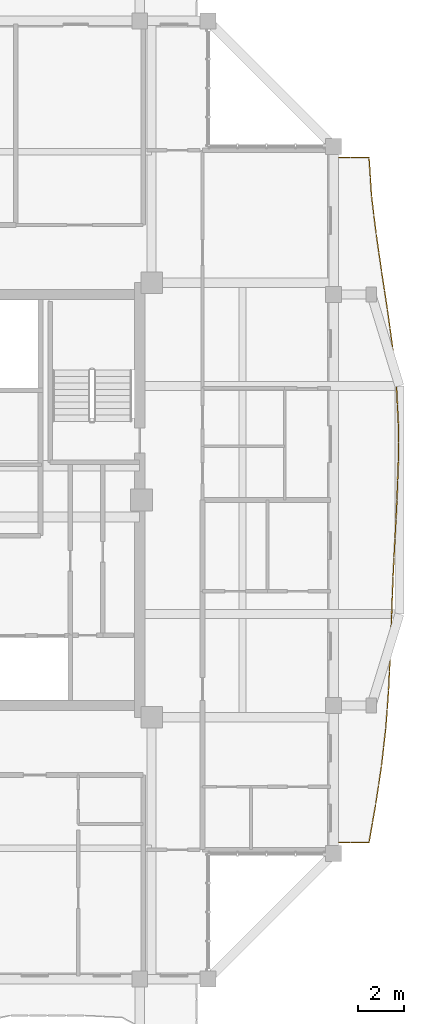
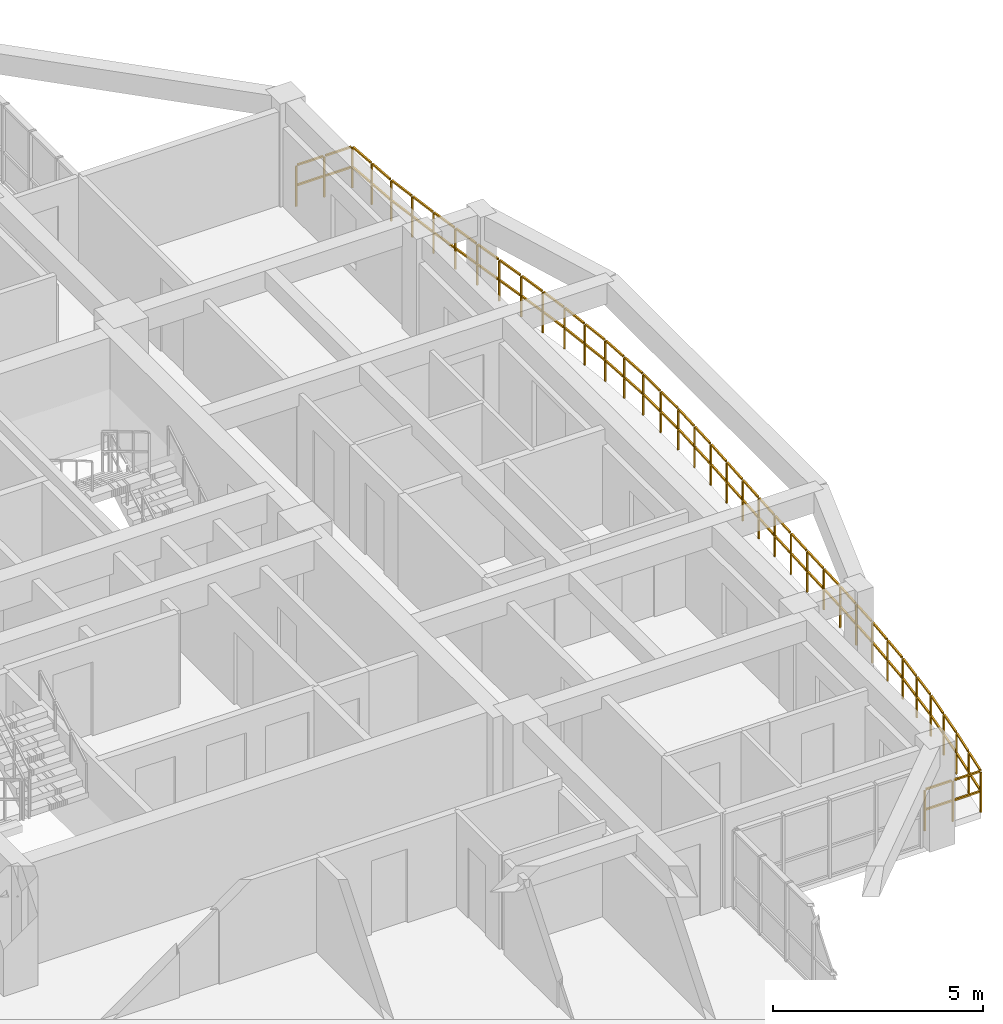
# One storey, part 23 of 24: 1 railing.
"""IFC4 building model written with IfcOpenShell, lengths in metres."""

from ifc_helpers import new_model, si_unit, direction, frame, origin, origin_2d, place, context, subcontext, project, spatial, rectangle, extrude, material, type_object, element, save


model = new_model("IFC4")

# Units and contexts
model_context = context("Model", 3, precision=1e-05, world=origin(), true_north=direction((0.0, 1.0)))
body_context = subcontext(model_context, "Body", "Model", "MODEL_VIEW")
ifc_project = project(units=[si_unit("LENGTHUNIT", "METRE"), si_unit("AREAUNIT", "SQUARE_METRE"), si_unit("VOLUMEUNIT", "CUBIC_METRE"), si_unit("PLANEANGLEUNIT", "RADIAN"), si_unit("MASSUNIT", "GRAM", prefix="KILO")], contexts=[model_context])

# Site, building, storey
site_placement = place(None, origin())
site = spatial("IfcSite", under=ifc_project, at=site_placement, CompositionType="ELEMENT")
building_placement = place(site_placement, origin())
building = spatial("IfcBuilding", under=site, at=building_placement, Name="Saelheon Loggia Tower", CompositionType="ELEMENT")
storey_placement = place(building_placement, frame((0.0, 0.0, 246.0)))
storey = spatial("IfcBuildingStorey", under=building, at=storey_placement, Name="L76", CompositionType="ELEMENT", Elevation=246.0)

# Railing
ifc_material = material(Name="Architectural Precast Concrete and Laminated Glass Guard", Category="concrete")
railing_type = type_object("IfcRailingType", Name="Guard_Loggia_RL_LOG", PredefinedType="BALUSTRADE", material=ifc_material)
railing_placement = place(storey_placement, frame((53.0, 12.0, 0.0)))
element("IfcRailing", 1, at=railing_placement, inside=storey, type_object=railing_type, Name="L76 East Loggia Balustrade", PredefinedType="BALUSTRADE", context=body_context, shape_type="SweptSolid", body=[
    extrude(rectangle(XDim=0.048095703125, YDim=0.048095703125, at=origin_2d()), frame((0.033203125, 0.0, 1.19580078125), z_axis=(1.0, 0.0, 0.0), x_axis=(0.0, 1.0, 0.0)), (0.0, 0.0, 1.0), 0.70849609375),
    extrude(rectangle(XDim=0.048095703125, YDim=0.048095703125, at=origin_2d()), frame((0.033203125, 0.0, 0.60986328125), z_axis=(1.0, 0.0, 0.0), x_axis=(0.0, 1.0, 0.0)), (0.0, 0.0, 1.0), 0.70849609375),
    extrude(rectangle(XDim=0.048095703125, YDim=0.048095703125, at=origin_2d()), frame((0.808349609375, 0.0, 1.19580078125), z_axis=(1.0, 0.0, 0.0), x_axis=(0.0, 1.0, 0.0)), (0.0, 0.0, 1.0), 0.70849609375),
    extrude(rectangle(XDim=0.048095703125, YDim=0.048095703125, at=origin_2d()), frame((0.808349609375, 0.0, 0.60986328125), z_axis=(1.0, 0.0, 0.0), x_axis=(0.0, 1.0, 0.0)), (0.0, 0.0, 1.0), 0.70849609375),
    extrude(rectangle(XDim=0.048095703125, YDim=0.048095703125, at=origin_2d()), frame((1.5556640625, 0.03271484375, 1.19580078125), z_axis=(0.172418830564, 0.985023729088, 0.0), x_axis=(-0.985023729088, 0.172418830564, 0.0)), (0.0, 0.0, 1.0), 0.779541015625),
    extrude(rectangle(XDim=0.048095703125, YDim=0.048095703125, at=origin_2d()), frame((1.5556640625, 0.03271484375, 0.60986328125), z_axis=(0.172418830564, 0.985023729088, 0.0), x_axis=(-0.985023729088, 0.172418830564, 0.0)), (0.0, 0.0, 1.0), 0.779541015625),
    extrude(rectangle(XDim=0.048095703125, YDim=0.048095703125, at=origin_2d()), frame((1.70166015625, 0.8662109375, 1.19580078125), z_axis=(0.172418830564, 0.985023729088, 0.0), x_axis=(-0.985023729088, 0.172418830564, 0.0)), (0.0, 0.0, 1.0), 0.779541015625),
    extrude(rectangle(XDim=0.048095703125, YDim=0.048095703125, at=origin_2d()), frame((1.70166015625, 0.8662109375, 0.60986328125), z_axis=(0.172418830564, 0.985023729088, 0.0), x_axis=(-0.985023729088, 0.172418830564, 0.0)), (0.0, 0.0, 1.0), 0.779541015625),
    extrude(rectangle(XDim=0.048095703125, YDim=0.048095703125, at=origin_2d()), frame((1.8466796875, 1.69970703125, 1.19580078125), z_axis=(0.14991264568, 0.98869924581, 0.0), x_axis=(-0.98869924581, 0.14991264568, 0.0)), (0.0, 0.0, 1.0), 0.7763671875),
    extrude(rectangle(XDim=0.048095703125, YDim=0.048095703125, at=origin_2d()), frame((1.8466796875, 1.69970703125, 0.60986328125), z_axis=(0.14991264568, 0.98869924581, 0.0), x_axis=(-0.98869924581, 0.14991264568, 0.0)), (0.0, 0.0, 1.0), 0.7763671875),
    extrude(rectangle(XDim=0.048095703125, YDim=0.048095703125, at=origin_2d()), frame((1.97314453125, 2.532958984375, 1.19580078125), z_axis=(0.14991264568, 0.98869924581, 0.0), x_axis=(-0.98869924581, 0.14991264568, 0.0)), (0.0, 0.0, 1.0), 0.7763671875),
    extrude(rectangle(XDim=0.048095703125, YDim=0.048095703125, at=origin_2d()), frame((1.97314453125, 2.532958984375, 0.60986328125), z_axis=(0.14991264568, 0.98869924581, 0.0), x_axis=(-0.98869924581, 0.14991264568, 0.0)), (0.0, 0.0, 1.0), 0.7763671875),
    extrude(rectangle(XDim=0.048095703125, YDim=0.048095703125, at=origin_2d()), frame((2.09814453125, 3.3662109375, 1.19580078125), z_axis=(0.112651696568, 0.993634538077, 0.0), x_axis=(-0.993634538077, 0.112651696568, 0.0)), (0.0, 0.0, 1.0), 0.772216796875),
    extrude(rectangle(XDim=0.048095703125, YDim=0.048095703125, at=origin_2d()), frame((2.09814453125, 3.3662109375, 0.60986328125), z_axis=(0.112651696568, 0.993634538077, 0.0), x_axis=(-0.993634538077, 0.112651696568, 0.0)), (0.0, 0.0, 1.0), 0.772216796875),
    extrude(rectangle(XDim=0.048095703125, YDim=0.048095703125, at=origin_2d()), frame((2.192626953125, 4.19970703125, 1.19580078125), z_axis=(0.112651696568, 0.993634538077, 0.0), x_axis=(-0.993634538077, 0.112651696568, 0.0)), (0.0, 0.0, 1.0), 0.772216796875),
    extrude(rectangle(XDim=0.048095703125, YDim=0.048095703125, at=origin_2d()), frame((2.192626953125, 4.19970703125, 0.60986328125), z_axis=(0.112651696568, 0.993634538077, 0.0), x_axis=(-0.993634538077, 0.112651696568, 0.0)), (0.0, 0.0, 1.0), 0.772216796875),
    extrude(rectangle(XDim=0.048095703125, YDim=0.048095703125, at=origin_2d()), frame((2.285888671875, 5.033203125, 1.19580078125), z_axis=(0.073624164853, 0.997286058435, 0.0), x_axis=(-0.997286058435, 0.073624164853, 0.0)), (0.0, 0.0, 1.0), 0.769287109375),
    extrude(rectangle(XDim=0.048095703125, YDim=0.048095703125, at=origin_2d()), frame((2.285888671875, 5.033203125, 0.60986328125), z_axis=(0.073624164853, 0.997286058435, 0.0), x_axis=(-0.997286058435, 0.073624164853, 0.0)), (0.0, 0.0, 1.0), 0.769287109375),
    extrude(rectangle(XDim=0.048095703125, YDim=0.048095703125, at=origin_2d()), frame((2.347412109375, 5.866455078125, 1.19580078125), z_axis=(0.073624164853, 0.997286058435, 0.0), x_axis=(-0.997286058435, 0.073624164853, 0.0)), (0.0, 0.0, 1.0), 0.769287109375),
    extrude(rectangle(XDim=0.048095703125, YDim=0.048095703125, at=origin_2d()), frame((2.347412109375, 5.866455078125, 0.60986328125), z_axis=(0.073624164853, 0.997286058435, 0.0), x_axis=(-0.997286058435, 0.073624164853, 0.0)), (0.0, 0.0, 1.0), 0.769287109375),
    extrude(rectangle(XDim=0.048095703125, YDim=0.048095703125, at=origin_2d()), frame((2.407958984375, 6.699951171875, 1.19580078125), z_axis=(0.045221782057, 0.998976971921, 0.0), x_axis=(-0.998976971921, 0.045221782057, 0.0)), (0.0, 0.0, 1.0), 0.767578125),
    extrude(rectangle(XDim=0.048095703125, YDim=0.048095703125, at=origin_2d()), frame((2.407958984375, 6.699951171875, 0.60986328125), z_axis=(0.045221782057, 0.998976971921, 0.0), x_axis=(-0.998976971921, 0.045221782057, 0.0)), (0.0, 0.0, 1.0), 0.767578125),
    extrude(rectangle(XDim=0.048095703125, YDim=0.048095703125, at=origin_2d()), frame((2.44580078125, 7.533203125, 1.19580078125), z_axis=(0.045221782057, 0.998976971921, 0.0), x_axis=(-0.998976971921, 0.045221782057, 0.0)), (0.0, 0.0, 1.0), 0.767578125),
    extrude(rectangle(XDim=0.048095703125, YDim=0.048095703125, at=origin_2d()), frame((2.44580078125, 7.533203125, 0.60986328125), z_axis=(0.045221782057, 0.998976971921, 0.0), x_axis=(-0.998976971921, 0.045221782057, 0.0)), (0.0, 0.0, 1.0), 0.767578125),
    extrude(rectangle(XDim=0.048095703125, YDim=0.048095703125, at=origin_2d()), frame((2.483154296875, 8.366455078125, 1.19580078125), z_axis=(0.034547988495, 0.999403040065, 0.0), x_axis=(-0.999403040065, 0.034547988495, 0.0)), (0.0, 0.0, 1.0), 0.767333984375),
    extrude(rectangle(XDim=0.048095703125, YDim=0.048095703125, at=origin_2d()), frame((2.483154296875, 8.366455078125, 0.60986328125), z_axis=(0.034547988495, 0.999403040065, 0.0), x_axis=(-0.999403040065, 0.034547988495, 0.0)), (0.0, 0.0, 1.0), 0.767333984375),
    extrude(rectangle(XDim=0.048095703125, YDim=0.048095703125, at=origin_2d()), frame((2.511962890625, 9.199951171875, 1.19580078125), z_axis=(0.034547988495, 0.999403040065, 0.0), x_axis=(-0.999403040065, 0.034547988495, 0.0)), (0.0, 0.0, 1.0), 0.767333984375),
    extrude(rectangle(XDim=0.048095703125, YDim=0.048095703125, at=origin_2d()), frame((2.511962890625, 9.199951171875, 0.60986328125), z_axis=(0.034547988495, 0.999403040065, 0.0), x_axis=(-0.999403040065, 0.034547988495, 0.0)), (0.0, 0.0, 1.0), 0.767333984375),
    extrude(rectangle(XDim=0.048095703125, YDim=0.048095703125, at=origin_2d()), frame((2.540771484375, 10.033203125, 1.19580078125), z_axis=(0.038933399863, 0.99924180776, 0.0), x_axis=(-0.99924180776, 0.038933399863, 0.0)), (0.0, 0.0, 1.0), 0.767578125),
    extrude(rectangle(XDim=0.048095703125, YDim=0.048095703125, at=origin_2d()), frame((2.540771484375, 10.033203125, 0.60986328125), z_axis=(0.038933399863, 0.99924180776, 0.0), x_axis=(-0.99924180776, 0.038933399863, 0.0)), (0.0, 0.0, 1.0), 0.767578125),
    extrude(rectangle(XDim=0.048095703125, YDim=0.048095703125, at=origin_2d()), frame((2.5732421875, 10.86669921875, 1.19580078125), z_axis=(0.038933399863, 0.99924180776, 0.0), x_axis=(-0.99924180776, 0.038933399863, 0.0)), (0.0, 0.0, 1.0), 0.767578125),
    extrude(rectangle(XDim=0.048095703125, YDim=0.048095703125, at=origin_2d()), frame((2.5732421875, 10.86669921875, 0.60986328125), z_axis=(0.038933399863, 0.99924180776, 0.0), x_axis=(-0.99924180776, 0.038933399863, 0.0)), (0.0, 0.0, 1.0), 0.767578125),
    extrude(rectangle(XDim=0.048095703125, YDim=0.048095703125, at=origin_2d()), frame((2.606201171875, 11.699951171875, 1.19580078125), z_axis=(0.048872089831, 0.99880504546, 0.0), x_axis=(-0.99880504546, 0.048872089831, 0.0)), (0.0, 0.0, 1.0), 0.767822265625),
    extrude(rectangle(XDim=0.048095703125, YDim=0.048095703125, at=origin_2d()), frame((2.606201171875, 11.699951171875, 0.60986328125), z_axis=(0.048872089831, 0.99880504546, 0.0), x_axis=(-0.99880504546, 0.048872089831, 0.0)), (0.0, 0.0, 1.0), 0.767822265625),
    extrude(rectangle(XDim=0.048095703125, YDim=0.048095703125, at=origin_2d()), frame((2.64697265625, 12.533203125, 1.19580078125), z_axis=(0.048872089831, 0.99880504546, 0.0), x_axis=(-0.99880504546, 0.048872089831, 0.0)), (0.0, 0.0, 1.0), 0.767822265625),
    extrude(rectangle(XDim=0.048095703125, YDim=0.048095703125, at=origin_2d()), frame((2.64697265625, 12.533203125, 0.60986328125), z_axis=(0.048872089831, 0.99880504546, 0.0), x_axis=(-0.99880504546, 0.048872089831, 0.0)), (0.0, 0.0, 1.0), 0.767822265625),
    extrude(rectangle(XDim=0.048095703125, YDim=0.048095703125, at=origin_2d()), frame((2.687744140625, 13.366455078125, 1.19580078125), z_axis=(0.051053884449, 0.998695900103, 0.0), x_axis=(-0.998695900103, 0.051053884449, 0.0)), (0.0, 0.0, 1.0), 0.76806640625),
    extrude(rectangle(XDim=0.048095703125, YDim=0.048095703125, at=origin_2d()), frame((2.687744140625, 13.366455078125, 0.60986328125), z_axis=(0.051053884449, 0.998695900103, 0.0), x_axis=(-0.998695900103, 0.051053884449, 0.0)), (0.0, 0.0, 1.0), 0.76806640625),
    extrude(rectangle(XDim=0.048095703125, YDim=0.048095703125, at=origin_2d()), frame((2.730224609375, 14.19970703125, 1.19580078125), z_axis=(0.051053884449, 0.998695900103, 0.0), x_axis=(-0.998695900103, 0.051053884449, 0.0)), (0.0, 0.0, 1.0), 0.76806640625),
    extrude(rectangle(XDim=0.048095703125, YDim=0.048095703125, at=origin_2d()), frame((2.730224609375, 14.19970703125, 0.60986328125), z_axis=(0.051053884449, 0.998695900103, 0.0), x_axis=(-0.998695900103, 0.051053884449, 0.0)), (0.0, 0.0, 1.0), 0.76806640625),
    extrude(rectangle(XDim=0.048095703125, YDim=0.048095703125, at=origin_2d()), frame((2.7724609375, 15.033203125, 1.19580078125), z_axis=(0.03586383302, 0.999356685814, 0.0), x_axis=(-0.999356685814, 0.03586383302, 0.0)), (0.0, 0.0, 1.0), 0.767333984375),
    extrude(rectangle(XDim=0.048095703125, YDim=0.048095703125, at=origin_2d()), frame((2.7724609375, 15.033203125, 0.60986328125), z_axis=(0.03586383302, 0.999356685814, 0.0), x_axis=(-0.999356685814, 0.03586383302, 0.0)), (0.0, 0.0, 1.0), 0.767333984375),
    extrude(rectangle(XDim=0.048095703125, YDim=0.048095703125, at=origin_2d()), frame((2.80224609375, 15.86669921875, 1.19580078125), z_axis=(0.03586383302, 0.999356685814, 0.0), x_axis=(-0.999356685814, 0.03586383302, 0.0)), (0.0, 0.0, 1.0), 0.767333984375),
    extrude(rectangle(XDim=0.048095703125, YDim=0.048095703125, at=origin_2d()), frame((2.80224609375, 15.86669921875, 0.60986328125), z_axis=(0.03586383302, 0.999356685814, 0.0), x_axis=(-0.999356685814, 0.03586383302, 0.0)), (0.0, 0.0, 1.0), 0.767333984375),
    extrude(rectangle(XDim=0.048095703125, YDim=0.048095703125, at=origin_2d()), frame((2.8310546875, 16.699951171875, 1.19580078125), z_axis=(0.00029299735, 0.999999957076, 0.0), x_axis=(-0.999999957076, 0.00029299735, 0.0)), (0.0, 0.0, 1.0), 0.766845703125),
    extrude(rectangle(XDim=0.048095703125, YDim=0.048095703125, at=origin_2d()), frame((2.8310546875, 16.699951171875, 0.60986328125), z_axis=(0.00029299735, 0.999999957076, 0.0), x_axis=(-0.999999957076, 0.00029299735, 0.0)), (0.0, 0.0, 1.0), 0.766845703125),
    extrude(rectangle(XDim=0.048095703125, YDim=0.048095703125, at=origin_2d()), frame((2.831298828125, 17.533203125, 1.19580078125), z_axis=(0.00029299735, 0.999999957076, 0.0), x_axis=(-0.999999957076, 0.00029299735, 0.0)), (0.0, 0.0, 1.0), 0.766845703125),
    extrude(rectangle(XDim=0.048095703125, YDim=0.048095703125, at=origin_2d()), frame((2.831298828125, 17.533203125, 0.60986328125), z_axis=(0.00029299735, 0.999999957076, 0.0), x_axis=(-0.999999957076, 0.00029299735, 0.0)), (0.0, 0.0, 1.0), 0.766845703125),
    extrude(rectangle(XDim=0.048095703125, YDim=0.048095703125, at=origin_2d()), frame((2.829833984375, 18.366455078125, 1.19580078125), z_axis=(-0.048864948277, 0.998805394874, 0.0), x_axis=(-0.998805394874, -0.048864948277, 0.0)), (0.0, 0.0, 1.0), 0.767822265625),
    extrude(rectangle(XDim=0.048095703125, YDim=0.048095703125, at=origin_2d()), frame((2.829833984375, 18.366455078125, 0.60986328125), z_axis=(-0.048864948277, 0.998805394874, 0.0), x_axis=(-0.998805394874, -0.048864948277, 0.0)), (0.0, 0.0, 1.0), 0.767822265625),
    extrude(rectangle(XDim=0.048095703125, YDim=0.048095703125, at=origin_2d()), frame((2.7890625, 19.19970703125, 1.19580078125), z_axis=(-0.048864948277, 0.998805394874, 0.0), x_axis=(-0.998805394874, -0.048864948277, 0.0)), (0.0, 0.0, 1.0), 0.767822265625),
    extrude(rectangle(XDim=0.048095703125, YDim=0.048095703125, at=origin_2d()), frame((2.7890625, 19.19970703125, 0.60986328125), z_axis=(-0.048864948277, 0.998805394874, 0.0), x_axis=(-0.998805394874, -0.048864948277, 0.0)), (0.0, 0.0, 1.0), 0.767822265625),
    extrude(rectangle(XDim=0.048095703125, YDim=0.048095703125, at=origin_2d()), frame((2.746826171875, 20.032958984375, 1.19580078125), z_axis=(-0.098681066187, 0.995119112054, 0.0), x_axis=(-0.995119112054, -0.098681066187, 0.0)), (0.0, 0.0, 1.0), 0.77099609375),
    extrude(rectangle(XDim=0.048095703125, YDim=0.048095703125, at=origin_2d()), frame((2.746826171875, 20.032958984375, 0.60986328125), z_axis=(-0.098681066187, 0.995119112054, 0.0), x_axis=(-0.995119112054, -0.098681066187, 0.0)), (0.0, 0.0, 1.0), 0.77099609375),
    extrude(rectangle(XDim=0.048095703125, YDim=0.048095703125, at=origin_2d()), frame((2.6640625, 20.866455078125, 1.19580078125), z_axis=(-0.098681066187, 0.995119112054, 0.0), x_axis=(-0.995119112054, -0.098681066187, 0.0)), (0.0, 0.0, 1.0), 0.77099609375),
    extrude(rectangle(XDim=0.048095703125, YDim=0.048095703125, at=origin_2d()), frame((2.6640625, 20.866455078125, 0.60986328125), z_axis=(-0.098681066187, 0.995119112054, 0.0), x_axis=(-0.995119112054, -0.098681066187, 0.0)), (0.0, 0.0, 1.0), 0.77099609375),
    extrude(rectangle(XDim=0.048095703125, YDim=0.048095703125, at=origin_2d()), frame((2.580322265625, 21.69970703125, 1.19580078125), z_axis=(-0.13556658858, 0.990768237309, 0.0), x_axis=(-0.990768237309, -0.13556658858, 0.0)), (0.0, 0.0, 1.0), 0.774658203125),
    extrude(rectangle(XDim=0.048095703125, YDim=0.048095703125, at=origin_2d()), frame((2.580322265625, 21.69970703125, 0.60986328125), z_axis=(-0.13556658858, 0.990768237309, 0.0), x_axis=(-0.990768237309, -0.13556658858, 0.0)), (0.0, 0.0, 1.0), 0.774658203125),
    extrude(rectangle(XDim=0.048095703125, YDim=0.048095703125, at=origin_2d()), frame((2.46630859375, 22.532958984375, 1.19580078125), z_axis=(-0.13556658858, 0.990768237309, 0.0), x_axis=(-0.990768237309, -0.13556658858, 0.0)), (0.0, 0.0, 1.0), 0.774658203125),
    extrude(rectangle(XDim=0.048095703125, YDim=0.048095703125, at=origin_2d()), frame((2.46630859375, 22.532958984375, 0.60986328125), z_axis=(-0.13556658858, 0.990768237309, 0.0), x_axis=(-0.990768237309, -0.13556658858, 0.0)), (0.0, 0.0, 1.0), 0.774658203125),
    extrude(rectangle(XDim=0.048095703125, YDim=0.048095703125, at=origin_2d()), frame((2.3515625, 23.3662109375, 1.19580078125), z_axis=(-0.15059890797, 0.98859494684, 0.0), x_axis=(-0.98859494684, -0.15059890797, 0.0)), (0.0, 0.0, 1.0), 0.776611328125),
    extrude(rectangle(XDim=0.048095703125, YDim=0.048095703125, at=origin_2d()), frame((2.3515625, 23.3662109375, 0.60986328125), z_axis=(-0.15059890797, 0.98859494684, 0.0), x_axis=(-0.98859494684, -0.15059890797, 0.0)), (0.0, 0.0, 1.0), 0.776611328125),
    extrude(rectangle(XDim=0.048095703125, YDim=0.048095703125, at=origin_2d()), frame((2.224609375, 24.199462890625, 1.19580078125), z_axis=(-0.15059890797, 0.98859494684, 0.0), x_axis=(-0.98859494684, -0.15059890797, 0.0)), (0.0, 0.0, 1.0), 0.776611328125),
    extrude(rectangle(XDim=0.048095703125, YDim=0.048095703125, at=origin_2d()), frame((2.224609375, 24.199462890625, 0.60986328125), z_axis=(-0.15059890797, 0.98859494684, 0.0), x_axis=(-0.98859494684, -0.15059890797, 0.0)), (0.0, 0.0, 1.0), 0.776611328125),
    extrude(rectangle(XDim=0.048095703125, YDim=0.048095703125, at=origin_2d()), frame((2.097900390625, 25.032958984375, 1.19580078125), z_axis=(-0.143369398541, 0.989669245537, 0.0), x_axis=(-0.989669245537, -0.143369398541, 0.0)), (0.0, 0.0, 1.0), 0.775634765625),
    extrude(rectangle(XDim=0.048095703125, YDim=0.048095703125, at=origin_2d()), frame((2.097900390625, 25.032958984375, 0.60986328125), z_axis=(-0.143369398541, 0.989669245537, 0.0), x_axis=(-0.989669245537, -0.143369398541, 0.0)), (0.0, 0.0, 1.0), 0.775634765625),
    extrude(rectangle(XDim=0.048095703125, YDim=0.048095703125, at=origin_2d()), frame((1.977294921875, 25.8662109375, 1.19580078125), z_axis=(-0.143369398541, 0.989669245537, 0.0), x_axis=(-0.989669245537, -0.143369398541, 0.0)), (0.0, 0.0, 1.0), 0.775634765625),
    extrude(rectangle(XDim=0.048095703125, YDim=0.048095703125, at=origin_2d()), frame((1.977294921875, 25.8662109375, 0.60986328125), z_axis=(-0.143369398541, 0.989669245537, 0.0), x_axis=(-0.989669245537, -0.143369398541, 0.0)), (0.0, 0.0, 1.0), 0.775634765625),
    extrude(rectangle(XDim=0.048095703125, YDim=0.048095703125, at=origin_2d()), frame((1.857177734375, 26.69970703125, 1.19580078125), z_axis=(-0.121564580478, 0.992583524331, 0.0), x_axis=(-0.992583524331, -0.121564580478, 0.0)), (0.0, 0.0, 1.0), 0.77294921875),
    extrude(rectangle(XDim=0.048095703125, YDim=0.048095703125, at=origin_2d()), frame((1.857177734375, 26.69970703125, 0.60986328125), z_axis=(-0.121564580478, 0.992583524331, 0.0), x_axis=(-0.992583524331, -0.121564580478, 0.0)), (0.0, 0.0, 1.0), 0.77294921875),
    extrude(rectangle(XDim=0.048095703125, YDim=0.048095703125, at=origin_2d()), frame((1.755126953125, 27.532958984375, 1.19580078125), z_axis=(-0.121564580478, 0.992583524331, 0.0), x_axis=(-0.992583524331, -0.121564580478, 0.0)), (0.0, 0.0, 1.0), 0.77294921875),
    extrude(rectangle(XDim=0.048095703125, YDim=0.048095703125, at=origin_2d()), frame((1.755126953125, 27.532958984375, 0.60986328125), z_axis=(-0.121564580478, 0.992583524331, 0.0), x_axis=(-0.992583524331, -0.121564580478, 0.0)), (0.0, 0.0, 1.0), 0.77294921875),
    extrude(rectangle(XDim=0.048095703125, YDim=0.048095703125, at=origin_2d()), frame((1.655029296875, 28.366455078125, 1.19580078125), z_axis=(-0.064170966116, 0.997938919528, 0.0), x_axis=(-0.997938919528, -0.064170966116, 0.0)), (0.0, 0.0, 1.0), 0.7685546875),
    extrude(rectangle(XDim=0.048095703125, YDim=0.048095703125, at=origin_2d()), frame((1.655029296875, 28.366455078125, 0.60986328125), z_axis=(-0.064170966116, 0.997938919528, 0.0), x_axis=(-0.997938919528, -0.064170966116, 0.0)), (0.0, 0.0, 1.0), 0.7685546875),
    extrude(rectangle(XDim=0.048095703125, YDim=0.048095703125, at=origin_2d()), frame((1.6015625, 29.19970703125, 1.19580078125), z_axis=(-0.064170966116, 0.997938919528, 0.0), x_axis=(-0.997938919528, -0.064170966116, 0.0)), (0.0, 0.0, 1.0), 0.7685546875),
    extrude(rectangle(XDim=0.048095703125, YDim=0.048095703125, at=origin_2d()), frame((1.6015625, 29.19970703125, 0.60986328125), z_axis=(-0.064170966116, 0.997938919528, 0.0), x_axis=(-0.997938919528, -0.064170966116, 0.0)), (0.0, 0.0, 1.0), 0.7685546875),
    extrude(rectangle(XDim=0.048095703125, YDim=0.048095703125, at=origin_2d()), frame((1.516845703125, 30.0, 1.19580078125), z_axis=(-1.0, 0.0, 0.0), x_axis=(0.0, -1.0, 0.0)), (0.0, 0.0, 1.0), 0.70849609375),
    extrude(rectangle(XDim=0.048095703125, YDim=0.048095703125, at=origin_2d()), frame((1.516845703125, 30.0, 0.60986328125), z_axis=(-1.0, 0.0, 0.0), x_axis=(0.0, -1.0, 0.0)), (0.0, 0.0, 1.0), 0.70849609375),
    extrude(rectangle(XDim=0.048095703125, YDim=0.048095703125, at=origin_2d()), frame((0.74169921875, 30.0, 1.19580078125), z_axis=(-1.0, 0.0, 0.0), x_axis=(0.0, -1.0, 0.0)), (0.0, 0.0, 1.0), 0.70849609375),
    extrude(rectangle(XDim=0.048095703125, YDim=0.048095703125, at=origin_2d()), frame((0.74169921875, 30.0, 0.60986328125), z_axis=(-1.0, 0.0, 0.0), x_axis=(0.0, -1.0, 0.0)), (0.0, 0.0, 1.0), 0.70849609375),
    extrude(rectangle(XDim=0.0419921875, YDim=0.0419921875, at=origin_2d()), origin(), (0.0, 0.0, 1.0), 1.16796875),
    extrude(rectangle(XDim=0.0419921875, YDim=0.0419921875, at=origin_2d()), frame((0.77490234375, 0.0, 0.0)), (0.0, 0.0, 1.0), 1.16796875),
    extrude(rectangle(XDim=0.0419921875, YDim=0.0419921875, at=origin_2d()), frame((1.550048828125, 0.0, 0.0)), (0.0, 0.0, 1.0), 1.16796875),
    extrude(rectangle(XDim=0.0419921875, YDim=0.0419921875, at=origin_2d()), frame((1.69580078125, 0.83349609375, 0.0)), (0.0, 0.0, 1.0), 1.16796875),
    extrude(rectangle(XDim=0.0419921875, YDim=0.0419921875, at=origin_2d()), frame((1.841796875, 1.666748046875, 0.0)), (0.0, 0.0, 1.0), 1.16796875),
    extrude(rectangle(XDim=0.0419921875, YDim=0.0419921875, at=origin_2d()), frame((1.96826171875, 2.5, 0.0)), (0.0, 0.0, 1.0), 1.16796875),
    extrude(rectangle(XDim=0.0419921875, YDim=0.0419921875, at=origin_2d()), frame((2.094482421875, 3.333251953125, 0.0)), (0.0, 0.0, 1.0), 1.16796875),
    extrude(rectangle(XDim=0.0419921875, YDim=0.0419921875, at=origin_2d()), frame((2.18896484375, 4.16650390625, 0.0)), (0.0, 0.0, 1.0), 1.16796875),
    extrude(rectangle(XDim=0.0419921875, YDim=0.0419921875, at=origin_2d()), frame((2.283447265625, 5.0, 0.0)), (0.0, 0.0, 1.0), 1.16796875),
    extrude(rectangle(XDim=0.0419921875, YDim=0.0419921875, at=origin_2d()), frame((2.344970703125, 5.83349609375, 0.0)), (0.0, 0.0, 1.0), 1.16796875),
    extrude(rectangle(XDim=0.0419921875, YDim=0.0419921875, at=origin_2d()), frame((2.406494140625, 6.666748046875, 0.0)), (0.0, 0.0, 1.0), 1.16796875),
    extrude(rectangle(XDim=0.0419921875, YDim=0.0419921875, at=origin_2d()), frame((2.4443359375, 7.5, 0.0)), (0.0, 0.0, 1.0), 1.16796875),
    extrude(rectangle(XDim=0.0419921875, YDim=0.0419921875, at=origin_2d()), frame((2.48193359375, 8.333251953125, 0.0)), (0.0, 0.0, 1.0), 1.16796875),
    extrude(rectangle(XDim=0.0419921875, YDim=0.0419921875, at=origin_2d()), frame((2.5107421875, 9.16650390625, 0.0)), (0.0, 0.0, 1.0), 1.16796875),
    extrude(rectangle(XDim=0.0419921875, YDim=0.0419921875, at=origin_2d()), frame((2.53955078125, 10.0, 0.0)), (0.0, 0.0, 1.0), 1.16796875),
    extrude(rectangle(XDim=0.0419921875, YDim=0.0419921875, at=origin_2d()), frame((2.572021484375, 10.83349609375, 0.0)), (0.0, 0.0, 1.0), 1.16796875),
    extrude(rectangle(XDim=0.0419921875, YDim=0.0419921875, at=origin_2d()), frame((2.6044921875, 11.666748046875, 0.0)), (0.0, 0.0, 1.0), 1.16796875),
    extrude(rectangle(XDim=0.0419921875, YDim=0.0419921875, at=origin_2d()), frame((2.645263671875, 12.5, 0.0)), (0.0, 0.0, 1.0), 1.16796875),
    extrude(rectangle(XDim=0.0419921875, YDim=0.0419921875, at=origin_2d()), frame((2.68603515625, 13.333251953125, 0.0)), (0.0, 0.0, 1.0), 1.16796875),
    extrude(rectangle(XDim=0.0419921875, YDim=0.0419921875, at=origin_2d()), frame((2.728515625, 14.16650390625, 0.0)), (0.0, 0.0, 1.0), 1.16796875),
    extrude(rectangle(XDim=0.0419921875, YDim=0.0419921875, at=origin_2d()), frame((2.771240234375, 15.0, 0.0)), (0.0, 0.0, 1.0), 1.16796875),
    extrude(rectangle(XDim=0.0419921875, YDim=0.0419921875, at=origin_2d()), frame((2.80126953125, 15.83349609375, 0.0)), (0.0, 0.0, 1.0), 1.16796875),
    extrude(rectangle(XDim=0.0419921875, YDim=0.0419921875, at=origin_2d()), frame((2.8310546875, 16.666748046875, 0.0)), (0.0, 0.0, 1.0), 1.16796875),
    extrude(rectangle(XDim=0.0419921875, YDim=0.0419921875, at=origin_2d()), frame((2.831298828125, 17.5, 0.0)), (0.0, 0.0, 1.0), 1.16796875),
    extrude(rectangle(XDim=0.0419921875, YDim=0.0419921875, at=origin_2d()), frame((2.83154296875, 18.333251953125, 0.0)), (0.0, 0.0, 1.0), 1.16796875),
    extrude(rectangle(XDim=0.0419921875, YDim=0.0419921875, at=origin_2d()), frame((2.790771484375, 19.16650390625, 0.0)), (0.0, 0.0, 1.0), 1.16796875),
    extrude(rectangle(XDim=0.0419921875, YDim=0.0419921875, at=origin_2d()), frame((2.75, 20.0, 0.0)), (0.0, 0.0, 1.0), 1.16796875),
    extrude(rectangle(XDim=0.0419921875, YDim=0.0419921875, at=origin_2d()), frame((2.66748046875, 20.83349609375, 0.0)), (0.0, 0.0, 1.0), 1.16796875),
    extrude(rectangle(XDim=0.0419921875, YDim=0.0419921875, at=origin_2d()), frame((2.584716796875, 21.666748046875, 0.0)), (0.0, 0.0, 1.0), 1.16796875),
    extrude(rectangle(XDim=0.0419921875, YDim=0.0419921875, at=origin_2d()), frame((2.470703125, 22.5, 0.0)), (0.0, 0.0, 1.0), 1.16796875),
    extrude(rectangle(XDim=0.0419921875, YDim=0.0419921875, at=origin_2d()), frame((2.356689453125, 23.333251953125, 0.0)), (0.0, 0.0, 1.0), 1.16796875),
    extrude(rectangle(XDim=0.0419921875, YDim=0.0419921875, at=origin_2d()), frame((2.229736328125, 24.16650390625, 0.0)), (0.0, 0.0, 1.0), 1.16796875),
    extrude(rectangle(XDim=0.0419921875, YDim=0.0419921875, at=origin_2d()), frame((2.102783203125, 25.0, 0.0)), (0.0, 0.0, 1.0), 1.16796875),
    extrude(rectangle(XDim=0.0419921875, YDim=0.0419921875, at=origin_2d()), frame((1.98193359375, 25.83349609375, 0.0)), (0.0, 0.0, 1.0), 1.16796875),
    extrude(rectangle(XDim=0.0419921875, YDim=0.0419921875, at=origin_2d()), frame((1.861328125, 26.666748046875, 0.0)), (0.0, 0.0, 1.0), 1.16796875),
    extrude(rectangle(XDim=0.0419921875, YDim=0.0419921875, at=origin_2d()), frame((1.75927734375, 27.5, 0.0)), (0.0, 0.0, 1.0), 1.16796875),
    extrude(rectangle(XDim=0.0419921875, YDim=0.0419921875, at=origin_2d()), frame((1.6572265625, 28.333251953125, 0.0)), (0.0, 0.0, 1.0), 1.16796875),
    extrude(rectangle(XDim=0.0419921875, YDim=0.0419921875, at=origin_2d()), frame((1.603515625, 29.16650390625, 0.0)), (0.0, 0.0, 1.0), 1.16796875),
    extrude(rectangle(XDim=0.0419921875, YDim=0.0419921875, at=origin_2d()), frame((1.550048828125, 30.0, 0.0)), (0.0, 0.0, 1.0), 1.16796875),
    extrude(rectangle(XDim=0.0419921875, YDim=0.0419921875, at=origin_2d()), frame((0.77490234375, 30.0, 0.0)), (0.0, 0.0, 1.0), 1.16796875),
    extrude(rectangle(XDim=0.0419921875, YDim=0.0419921875, at=origin_2d()), frame((0.0, 30.0, 0.0)), (0.0, 0.0, 1.0), 1.16796875),
])

save(model, "model.ifc")
